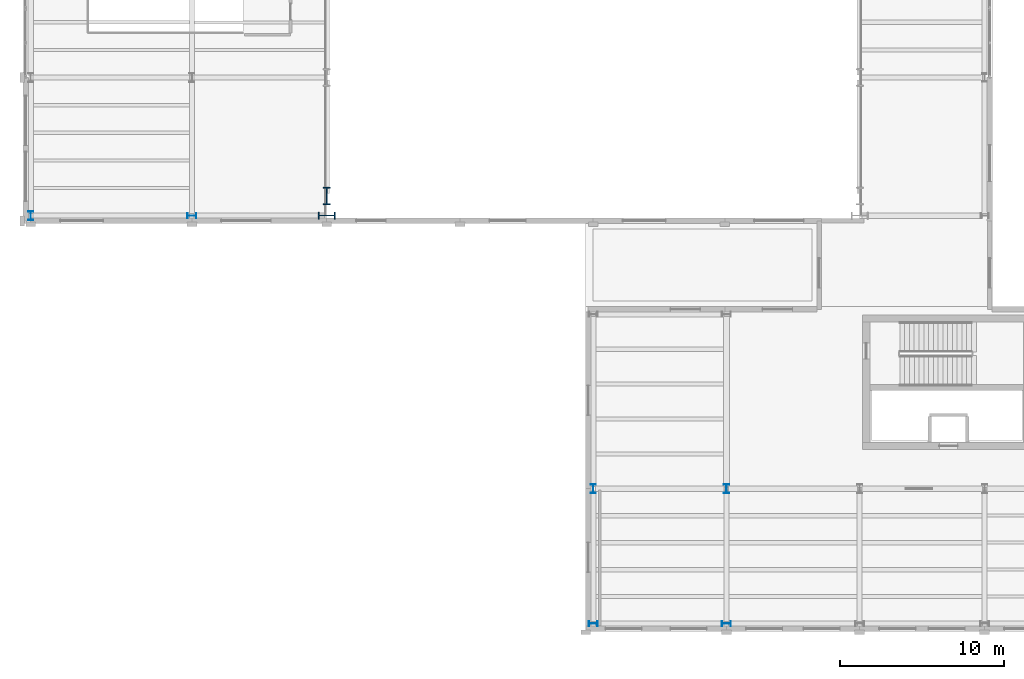
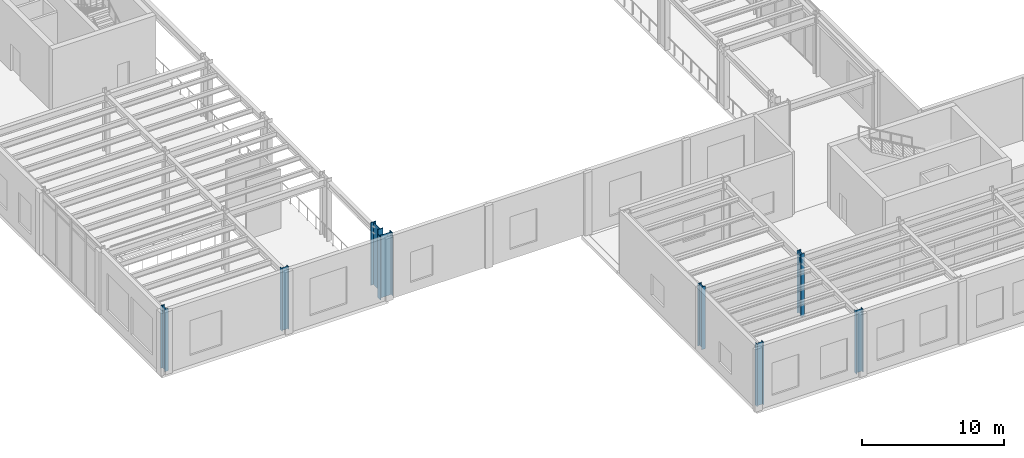
# One storey, part 1 of 98: 8 columns.
"""IFC4 building model written with IfcOpenShell, lengths in metres."""

from ifc_helpers import new_model, si_unit, direction, frame, origin, origin_2d, place, context, subcontext, project, spatial, i_section, extrude, material, material_profile, profile_set, type_object, element, save


model = new_model("IFC4")

# Units and contexts
model_context = context("Model", 3, precision=1e-05, world=origin(), true_north=direction((0.0, 1.0)))
body_context = subcontext(model_context, "Body", "Model", "MODEL_VIEW")
ifc_project = project(units=[si_unit("LENGTHUNIT", "METRE"), si_unit("AREAUNIT", "SQUARE_METRE"), si_unit("VOLUMEUNIT", "CUBIC_METRE"), si_unit("PLANEANGLEUNIT", "RADIAN"), si_unit("MASSUNIT", "GRAM", prefix="KILO")], contexts=[model_context])

# Site, building, storey
site_placement = place(None, origin())
site = spatial("IfcSite", under=ifc_project, at=site_placement, CompositionType="ELEMENT")
building_placement = place(site_placement, origin())
building = spatial("IfcBuilding", under=site, at=building_placement, Name="Sollismere Congress Hotel", CompositionType="ELEMENT")
storey_placement = place(building_placement, frame((0.0, 0.0, 5.39990234375)))
storey = spatial("IfcBuildingStorey", under=building, at=storey_placement, Name="L01", CompositionType="ELEMENT", Elevation=5.39990234375)

# Columns
ifc_material = material(Name="Steel ASTM A992 Grade 50", Category="steel")
ifc_material_profile_1 = material_profile(ifc_material, i_section(OverallWidth=0.31494140625, OverallDepth=0.551025390625, WebThickness=0.01513671875, FlangeThickness=0.0244140625, at=origin_2d()), Name="W21X122")
ifc_profile_set_1 = profile_set([ifc_material_profile_1], Name="Steel ASTM A992 Grade 50")
column_type_1 = type_object("IfcColumnType", Name="COL-W21", PredefinedType="COLUMN", material=ifc_profile_set_1)
for number, where, z_axis, x_axis, name in (
    (1, (0.0, 24.800048828125, 0.0), (0.0, 0.0, 1.0), (1.0, 0.0, 0.0), "Column CL-L01-006"),
    (2, (9.800048828125, 24.800048828125, 0.0), (0.0, 0.0, 1.0), (0.0, 1.0, 0.0), "Column CL-L01-044"),
    (3, (34.199951171875, 0.0, 0.0), (0.0, 0.0, 1.0), (0.0, 1.0, 0.0), "Column CL-L01-117"),
    (4, (34.199951171875, 8.199951171875, 0.0), (0.0, 0.0, 1.0), (1.0, 0.0, 0.0), "Column CL-L01-125"),
    (5, (42.300048828125, 0.0, 0.0), (0.0, 0.0, 1.0), (0.0, 1.0, 0.0), "Column CL-L01-152"),
    (6, (42.300048828125, 8.199951171875, 0.0), (0.0, 0.0, 1.0), (1.0, 0.0, 0.0), "Column CL-L01-160"),
):
    element("IfcColumn", number, at=place(storey_placement, frame(where, z_axis=z_axis, x_axis=x_axis)), inside=storey, type_object=column_type_1, Name=name, PredefinedType="COLUMN", context=body_context, shape_type="SweptSolid", body=[
        extrude(i_section(OverallWidth=0.31494140625, OverallDepth=0.551025390625, WebThickness=0.01513671875, FlangeThickness=0.0244140625, at=origin_2d()), origin(), (0.0, 0.0, 1.0), 5.400146484375),
    ])
ifc_material_profile_2 = material_profile(ifc_material, i_section(OverallWidth=0.427001953125, OverallDepth=1.041015625, WebThickness=0.031005859375, FlangeThickness=0.055908203125, at=origin_2d()), Name="W40X397")
ifc_profile_set_2 = profile_set([ifc_material_profile_2], Name="Steel ASTM A992 Grade 50")
column_type_2 = type_object("IfcColumnType", Name="COL-W40", PredefinedType="COLUMN", material=ifc_profile_set_2)
for number, where, z_axis, x_axis, name in (
    (7, (18.0, 24.800048828125, 0.0), (0.0, 0.0, 1.0), (0.0, 1.0, 0.0), "Column CL-L01-075"),
    (8, (18.0, 26.0, 0.0), (0.0, 0.0, 1.0), (1.0, 0.0, 0.0), "Column CL-L01-1131"),
):
    element("IfcColumn", number, at=place(storey_placement, frame(where, z_axis=z_axis, x_axis=x_axis)), inside=storey, type_object=column_type_2, Name=name, PredefinedType="COLUMN", context=body_context, shape_type="SweptSolid", body=[
        extrude(i_section(OverallWidth=0.427001953125, OverallDepth=1.041015625, WebThickness=0.031005859375, FlangeThickness=0.055908203125, at=origin_2d()), origin(), (0.0, 0.0, 1.0), 5.400146484375),
    ])

save(model, "model.ifc")
